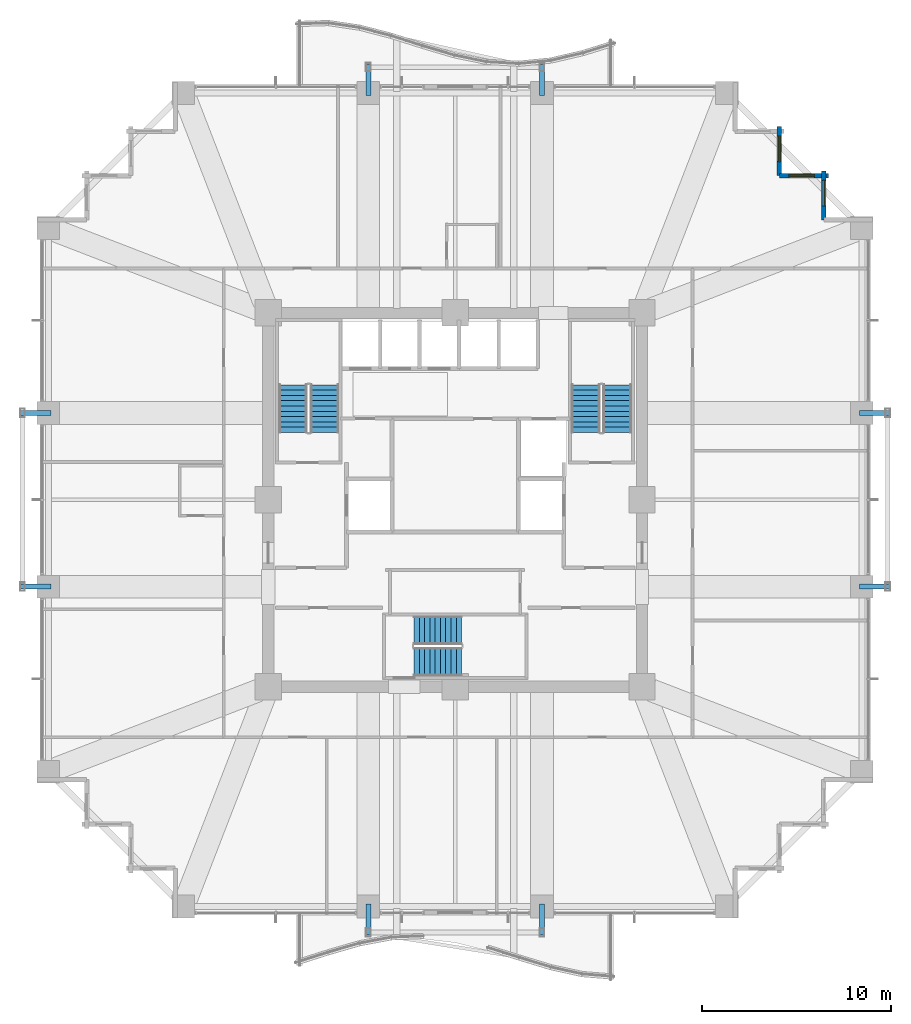
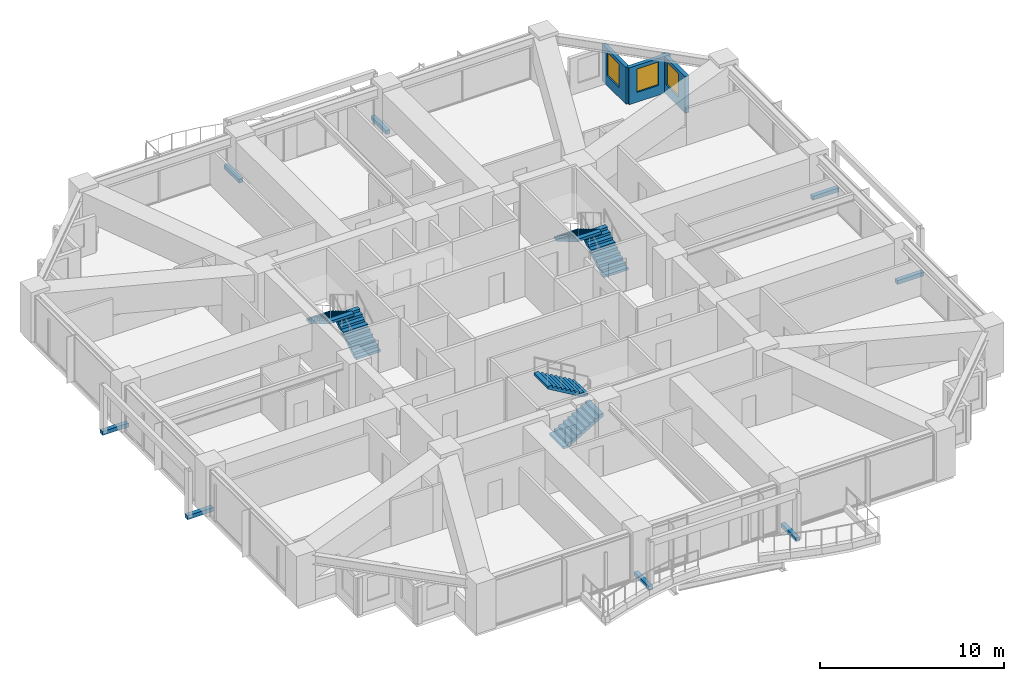
# One storey, part 35 of 37: 8 discrete accessories, 6 stair flights, 3 walls, 3 windows, 3 openings, 3 elements without a shape of their own.
"""IFC4 building model written with IfcOpenShell, lengths in metres."""

from ifc_helpers import new_model, si_unit, direction, frame, frame_2d, origin, origin_2d, place, context, subcontext, project, spatial, polyline, rectangle, outline, extrude, material, layer, layer_set, type_object, element, fill, aggregate, save


model = new_model("IFC4")

# Units and contexts
model_context = context("Model", 3, precision=1e-05, world=origin(), true_north=direction((0.0, 1.0)))
body_context = subcontext(model_context, "Body", "Model", "MODEL_VIEW")
ifc_project = project(units=[si_unit("LENGTHUNIT", "METRE"), si_unit("AREAUNIT", "SQUARE_METRE"), si_unit("VOLUMEUNIT", "CUBIC_METRE"), si_unit("PLANEANGLEUNIT", "RADIAN"), si_unit("MASSUNIT", "GRAM", prefix="KILO")], contexts=[model_context])

# Site, building, storey
site_placement = place(None, origin())
site = spatial("IfcSite", under=ifc_project, at=site_placement, CompositionType="ELEMENT")
building_placement = place(site_placement, origin())
building = spatial("IfcBuilding", under=site, at=building_placement, Name="Kolvaren Belvedere", CompositionType="ELEMENT")
storey_placement = place(building_placement, frame((0.0, 0.0, 56.800048828125)))
storey = spatial("IfcBuildingStorey", under=building, at=storey_placement, Name="L16", CompositionType="ELEMENT", Elevation=56.800048828125)

# Wall, opening, window
ifc_material_1 = material(Name="Insulated pale-metal facade wall assembly", Category="aluminium")
ifc_layer = layer(ifc_material_1, 0.239990234375)
ifc_layer_set = layer_set([ifc_layer], Name="Insulated pale-metal facade wall assembly")
wall_type = type_object("IfcWallType", Name="WL-EXT-240", PredefinedType="STANDARD", material=ifc_layer_set)
wall_1_placement = place(storey_placement, frame((19.530029296875, 17.419921875, 0.0), z_axis=(0.0, 0.0, 1.0), x_axis=(0.0, -1.0, 0.0)))
wall_1 = element("IfcWall", 1, at=wall_1_placement, inside=storey, type_object=wall_type, Name="L16 Serrated Corner Facade Wall 10", PredefinedType="STANDARD", context=body_context, shape_type="SweptSolid", body=[
    extrude(rectangle(XDim=2.58984375, YDim=0.239990234375, at=frame_2d((1.294921875, 0.0))), origin(), (0.0, 0.0, 1.0), 2.43896484375),
])
opening_1_placement = place(wall_1_placement, frame((0.5, 0.0, 0.64990234375)))
opening_1 = element("IfcOpeningElement", 2, at=opening_1_placement, cuts=wall_1, Name="Opening W-1350", PredefinedType="OPENING", context=body_context, shape_type="SweptSolid", body=[
    extrude(rectangle(XDim=1.35009765625, YDim=1.550048828125, at=frame_2d((0.675048828125, 0.77490234375))), frame((0.0, 0.1298828125, 0.0), z_axis=(0.0, -1.0, 0.0), x_axis=(1.0, 0.0, 0.0)), (0.0, 0.0, 1.0), 0.260009765625),
])
ifc_material_2 = material(Name="Low-iron triple insulated glass", Category="glass")
window_type = type_object("IfcWindowType", Name="WN-CORN-1350", PartitioningType="SINGLE_PANEL", PredefinedType="WINDOW", material=ifc_material_2)
window_1_placement = place(opening_1_placement, origin())
window_1 = element("IfcWindow", 3, at=window_1_placement, inside=storey, type_object=window_type, Name="L16 Serrated Corner Vision Window 10", OverallHeight=1.550048828125, OverallWidth=1.35009765625, PartitioningType="SINGLE_PANEL", PredefinedType="WINDOW", context=body_context, shape_type="SweptSolid", body=[
    extrude(rectangle(XDim=1.35009765625, YDim=1.550048828125, at=frame_2d((0.675048828125, 0.77490234375))), frame((0.0, 0.030029296875, 0.0), z_axis=(0.0, -1.0, 0.0), x_axis=(1.0, 0.0, 0.0)), (0.0, 0.0, 1.0), 0.06005859375),
])
fill(opening_1, window_1)

wall_2_placement = place(storey_placement, frame((17.179931640625, 17.179931640625, 0.0), z_axis=(0.0, 0.0, 1.0), x_axis=(1.0, 0.0, 0.0)))
wall_2 = element("IfcWall", 4, at=wall_2_placement, inside=storey, type_object=wall_type, Name="L16 Serrated Corner Facade Wall 11", PredefinedType="STANDARD", context=body_context, shape_type="SweptSolid", body=[
    extrude(rectangle(XDim=2.590087890625, YDim=0.239990234375, at=frame_2d((1.294921875, 0.0))), origin(), (0.0, 0.0, 1.0), 2.43896484375),
])
opening_2_placement = place(wall_2_placement, frame((0.5, 0.0, 0.64990234375)))
opening_2 = element("IfcOpeningElement", 5, at=opening_2_placement, cuts=wall_2, Name="Opening W-1350", PredefinedType="OPENING", context=body_context, shape_type="SweptSolid", body=[
    extrude(rectangle(XDim=1.35009765625, YDim=1.550048828125, at=frame_2d((0.675048828125, 0.77490234375))), frame((0.0, 0.1298828125, 0.0), z_axis=(0.0, -1.0, 0.0), x_axis=(1.0, 0.0, 0.0)), (0.0, 0.0, 1.0), 0.260009765625),
])
window_2_placement = place(opening_2_placement, origin())
window_2 = element("IfcWindow", 6, at=window_2_placement, inside=storey, type_object=window_type, Name="L16 Serrated Corner Vision Window 11", OverallHeight=1.550048828125, OverallWidth=1.35009765625, PartitioningType="SINGLE_PANEL", PredefinedType="WINDOW", context=body_context, shape_type="SweptSolid", body=[
    extrude(rectangle(XDim=1.35009765625, YDim=1.550048828125, at=frame_2d((0.675048828125, 0.77490234375))), frame((0.0, 0.030029296875, 0.0), z_axis=(0.0, -1.0, 0.0), x_axis=(1.0, 0.0, 0.0)), (0.0, 0.0, 1.0), 0.06005859375),
])
fill(opening_2, window_2)

wall_3_placement = place(storey_placement, frame((17.179931640625, 19.77001953125, 0.0), z_axis=(0.0, 0.0, 1.0), x_axis=(0.0, -1.0, 0.0)))
wall_3 = element("IfcWall", 7, at=wall_3_placement, inside=storey, type_object=wall_type, Name="L16 Serrated Corner Facade Wall 12", PredefinedType="STANDARD", context=body_context, shape_type="SweptSolid", body=[
    extrude(rectangle(XDim=2.590087890625, YDim=0.239990234375, at=frame_2d((1.294921875, 0.0))), origin(), (0.0, 0.0, 1.0), 2.43896484375),
])
opening_3_placement = place(wall_3_placement, frame((0.5, 0.0, 0.64990234375)))
opening_3 = element("IfcOpeningElement", 8, at=opening_3_placement, cuts=wall_3, Name="Opening W-1350", PredefinedType="OPENING", context=body_context, shape_type="SweptSolid", body=[
    extrude(rectangle(XDim=1.35009765625, YDim=1.550048828125, at=frame_2d((0.675048828125, 0.77490234375))), frame((0.0, 0.1298828125, 0.0), z_axis=(0.0, -1.0, 0.0), x_axis=(1.0, 0.0, 0.0)), (0.0, 0.0, 1.0), 0.260009765625),
])
window_3_placement = place(opening_3_placement, origin())
window_3 = element("IfcWindow", 9, at=window_3_placement, inside=storey, type_object=window_type, Name="L16 Serrated Corner Vision Window 12", OverallHeight=1.550048828125, OverallWidth=1.35009765625, PartitioningType="SINGLE_PANEL", PredefinedType="WINDOW", context=body_context, shape_type="SweptSolid", body=[
    extrude(rectangle(XDim=1.35009765625, YDim=1.550048828125, at=frame_2d((0.675048828125, 0.77490234375))), frame((0.0, 0.030029296875, 0.0), z_axis=(0.0, -1.0, 0.0), x_axis=(1.0, 0.0, 0.0)), (0.0, 0.0, 1.0), 0.06005859375),
])
fill(opening_3, window_3)

# Stair, stair flights
ifc_material_3 = material(Name="Concrete C50/60", Category="concrete")
stair_type = type_object("IfcStairType", Name="ST-CORE-1520", PredefinedType="HALF_TURN_STAIR", material=ifc_material_3)
stair_1_placement = place(storey_placement, origin())
stair_1 = element("IfcStair", 10, at=stair_1_placement, inside=storey, type_object=stair_type, Name="L16 Protected Exit Stair ST-1", PredefinedType="HALF_TURN_STAIR")
ifc_material_4 = material(Name="Concrete C50/60", Category="concrete")
stair_flight_type = type_object("IfcStairFlightType", Name="SF-STR-1520", PredefinedType="STRAIGHT", material=ifc_material_4)
stair_flight_1_placement = place(storey_placement, frame((-6.919921875, 3.570068359375, 0.0), z_axis=(0.0, 0.0, 1.0), x_axis=(0.0, 1.0, 0.0)))
stair_flight_1 = element("IfcStairFlight", 11, at=stair_flight_1_placement, type_object=stair_flight_type, Name="ST-1 flight 1", NumberOfRisers=10, NumberOfTreads=9, PredefinedType="STRAIGHT", RiserHeight=0.165, TreadLength=0.28, context=body_context, shape_type="SweptSolid", body=[
    extrude(outline(polyline([(0.0, 0.0), (0.0, 0.1650390625), (0.280029296875, 0.1650390625), (0.280029296875, 0.330078125), (0.56005859375, 0.330078125), (0.56005859375, 0.4951171875), (0.840087890625, 0.4951171875), (0.840087890625, 0.659912109375), (1.1201171875, 0.659912109375), (1.1201171875, 0.824951171875), (1.39990234375, 0.824951171875), (1.39990234375, 0.989990234375), (1.679931640625, 0.989990234375), (1.679931640625, 1.155029296875), (1.9599609375, 1.155029296875), (1.9599609375, 1.320068359375), (2.239990234375, 1.320068359375), (2.239990234375, 1.485107421875), (2.52001953125, 1.485107421875), (2.52001953125, 1.64990234375), (2.52001953125, 1.31103515625), (0.295166015625, 0.0), (0.0, 0.0)])), frame((0.0, 0.760009765625, 0.0), z_axis=(0.0, -1.0, 0.0), x_axis=(1.0, 0.0, 0.0)), (0.0, 0.0, 1.0), 1.52001953125),
])
stair_flight_2_placement = place(storey_placement, frame((-8.590087890625, 6.090087890625, 1.64990234375), z_axis=(0.0, 0.0, 1.0), x_axis=(0.0, -1.0, 0.0)))
stair_flight_2 = element("IfcStairFlight", 12, at=stair_flight_2_placement, type_object=stair_flight_type, Name="ST-1 flight 2", NumberOfRisers=10, NumberOfTreads=9, PredefinedType="STRAIGHT", RiserHeight=0.165, TreadLength=0.28, context=body_context, shape_type="SweptSolid", body=[
    extrude(outline(polyline([(0.0, 0.0), (0.0, 0.1650390625), (0.280029296875, 0.1650390625), (0.280029296875, 0.330078125), (0.56005859375, 0.330078125), (0.56005859375, 0.4951171875), (0.840087890625, 0.4951171875), (0.840087890625, 0.659912109375), (1.1201171875, 0.659912109375), (1.1201171875, 0.824951171875), (1.39990234375, 0.824951171875), (1.39990234375, 0.989990234375), (1.679931640625, 0.989990234375), (1.679931640625, 1.155029296875), (1.9599609375, 1.155029296875), (1.9599609375, 1.320068359375), (2.239990234375, 1.320068359375), (2.239990234375, 1.485107421875), (2.52001953125, 1.485107421875), (2.52001953125, 1.64990234375), (2.52001953125, 1.31103515625), (0.295166015625, 0.0), (0.0, 0.0)])), frame((0.0, 0.760009765625, 0.0), z_axis=(0.0, -1.0, 0.0), x_axis=(1.0, 0.0, 0.0)), (0.0, 0.0, 1.0), 1.52001953125),
])
aggregate(stair_1, [stair_flight_1, stair_flight_2])

stair_2_placement = place(storey_placement, origin())
stair_2 = element("IfcStair", 13, at=stair_2_placement, inside=storey, type_object=stair_type, Name="L16 Protected Exit Stair ST-2", PredefinedType="HALF_TURN_STAIR")
stair_flight_3_placement = place(storey_placement, frame((8.590087890625, 3.570068359375, 0.0), z_axis=(0.0, 0.0, 1.0), x_axis=(0.0, 1.0, 0.0)))
stair_flight_3 = element("IfcStairFlight", 14, at=stair_flight_3_placement, type_object=stair_flight_type, Name="ST-2 flight 1", NumberOfRisers=10, NumberOfTreads=9, PredefinedType="STRAIGHT", RiserHeight=0.165, TreadLength=0.28, context=body_context, shape_type="SweptSolid", body=[
    extrude(outline(polyline([(0.0, 0.0), (0.0, 0.1650390625), (0.280029296875, 0.1650390625), (0.280029296875, 0.330078125), (0.56005859375, 0.330078125), (0.56005859375, 0.4951171875), (0.840087890625, 0.4951171875), (0.840087890625, 0.659912109375), (1.1201171875, 0.659912109375), (1.1201171875, 0.824951171875), (1.39990234375, 0.824951171875), (1.39990234375, 0.989990234375), (1.679931640625, 0.989990234375), (1.679931640625, 1.155029296875), (1.9599609375, 1.155029296875), (1.9599609375, 1.320068359375), (2.239990234375, 1.320068359375), (2.239990234375, 1.485107421875), (2.52001953125, 1.485107421875), (2.52001953125, 1.64990234375), (2.52001953125, 1.31103515625), (0.295166015625, 0.0), (0.0, 0.0)])), frame((0.0, 0.760009765625, 0.0), z_axis=(0.0, -1.0, 0.0), x_axis=(1.0, 0.0, 0.0)), (0.0, 0.0, 1.0), 1.52001953125),
])
stair_flight_4_placement = place(storey_placement, frame((6.919921875, 6.090087890625, 1.64990234375), z_axis=(0.0, 0.0, 1.0), x_axis=(0.0, -1.0, 0.0)))
stair_flight_4 = element("IfcStairFlight", 15, at=stair_flight_4_placement, type_object=stair_flight_type, Name="ST-2 flight 2", NumberOfRisers=10, NumberOfTreads=9, PredefinedType="STRAIGHT", RiserHeight=0.165, TreadLength=0.28, context=body_context, shape_type="SweptSolid", body=[
    extrude(outline(polyline([(0.0, 0.0), (0.0, 0.1650390625), (0.280029296875, 0.1650390625), (0.280029296875, 0.330078125), (0.56005859375, 0.330078125), (0.56005859375, 0.4951171875), (0.840087890625, 0.4951171875), (0.840087890625, 0.659912109375), (1.1201171875, 0.659912109375), (1.1201171875, 0.824951171875), (1.39990234375, 0.824951171875), (1.39990234375, 0.989990234375), (1.679931640625, 0.989990234375), (1.679931640625, 1.155029296875), (1.9599609375, 1.155029296875), (1.9599609375, 1.320068359375), (2.239990234375, 1.320068359375), (2.239990234375, 1.485107421875), (2.52001953125, 1.485107421875), (2.52001953125, 1.64990234375), (2.52001953125, 1.31103515625), (0.295166015625, 0.0), (0.0, 0.0)])), frame((0.0, 0.760009765625, 0.0), z_axis=(0.0, -1.0, 0.0), x_axis=(1.0, 0.0, 0.0)), (0.0, 0.0, 1.0), 1.52001953125),
])
aggregate(stair_2, [stair_flight_3, stair_flight_4])

stair_3_placement = place(storey_placement, origin())
stair_3 = element("IfcStair", 16, at=stair_3_placement, inside=storey, type_object=stair_type, Name="L16 Protected Exit Stair ST-3", PredefinedType="HALF_TURN_STAIR")
stair_flight_5_placement = place(storey_placement, frame((-2.179931640625, -8.590087890625, 0.0), z_axis=(0.0, 0.0, 1.0), x_axis=(1.0, 0.0, 0.0)))
stair_flight_5 = element("IfcStairFlight", 17, at=stair_flight_5_placement, type_object=stair_flight_type, Name="ST-3 flight 1", NumberOfRisers=10, NumberOfTreads=9, PredefinedType="STRAIGHT", RiserHeight=0.165, TreadLength=0.28, context=body_context, shape_type="SweptSolid", body=[
    extrude(outline(polyline([(0.0, 0.0), (0.0, 0.1650390625), (0.280029296875, 0.1650390625), (0.280029296875, 0.330078125), (0.56005859375, 0.330078125), (0.56005859375, 0.4951171875), (0.840087890625, 0.4951171875), (0.840087890625, 0.659912109375), (1.1201171875, 0.659912109375), (1.1201171875, 0.824951171875), (1.39990234375, 0.824951171875), (1.39990234375, 0.989990234375), (1.679931640625, 0.989990234375), (1.679931640625, 1.155029296875), (1.9599609375, 1.155029296875), (1.9599609375, 1.320068359375), (2.239990234375, 1.320068359375), (2.239990234375, 1.485107421875), (2.52001953125, 1.485107421875), (2.52001953125, 1.64990234375), (2.52001953125, 1.31103515625), (0.295166015625, 0.0), (0.0, 0.0)])), frame((0.0, 0.760009765625, 0.0), z_axis=(0.0, -1.0, 0.0), x_axis=(1.0, 0.0, 0.0)), (0.0, 0.0, 1.0), 1.52001953125),
])
stair_flight_6_placement = place(storey_placement, frame((0.340087890625, -6.919921875, 1.64990234375), z_axis=(0.0, 0.0, 1.0), x_axis=(-1.0, 0.0, 0.0)))
stair_flight_6 = element("IfcStairFlight", 18, at=stair_flight_6_placement, type_object=stair_flight_type, Name="ST-3 flight 2", NumberOfRisers=10, NumberOfTreads=9, PredefinedType="STRAIGHT", RiserHeight=0.165, TreadLength=0.28, context=body_context, shape_type="SweptSolid", body=[
    extrude(outline(polyline([(0.0, 0.0), (0.0, 0.1650390625), (0.280029296875, 0.1650390625), (0.280029296875, 0.330078125), (0.56005859375, 0.330078125), (0.56005859375, 0.4951171875), (0.840087890625, 0.4951171875), (0.840087890625, 0.659912109375), (1.1201171875, 0.659912109375), (1.1201171875, 0.824951171875), (1.39990234375, 0.824951171875), (1.39990234375, 0.989990234375), (1.679931640625, 0.989990234375), (1.679931640625, 1.155029296875), (1.9599609375, 1.155029296875), (1.9599609375, 1.320068359375), (2.239990234375, 1.320068359375), (2.239990234375, 1.485107421875), (2.52001953125, 1.485107421875), (2.52001953125, 1.64990234375), (2.52001953125, 1.31103515625), (0.295166015625, 0.0), (0.0, 0.0)])), frame((0.0, 0.760009765625, 0.0), z_axis=(0.0, -1.0, 0.0), x_axis=(1.0, 0.0, 0.0)), (0.0, 0.0, 1.0), 1.52001953125),
])
aggregate(stair_3, [stair_flight_5, stair_flight_6])

# Discrete accessories
ifc_material_5 = material(Name="Structural steel ASTM A572 Grade 50", Category="steel")
discrete_accessory_type = type_object("IfcDiscreteAccessoryType", Name="BRK-1 Steel Facade Support Bracket", PredefinedType="BRACKET", material=ifc_material_5)
for number, where, z_axis, x_axis, name in (
    (19, (-4.60009765625, 22.235107421875, -0.169921875), (0.0, 0.0, 1.0), (0.0, 1.0, 0.0), "L16 Picture-Frame Outrigger Cleat Bracket N1"),
    (20, (4.60009765625, 22.235107421875, -0.169921875), (0.0, 0.0, 1.0), (0.0, 1.0, 0.0), "L16 Picture-Frame Outrigger Cleat Bracket N2"),
    (21, (4.60009765625, -22.235107421875, -0.169921875), (0.0, 0.0, 1.0), (0.0, 1.0, 0.0), "L16 Picture-Frame Outrigger Cleat Bracket S1"),
    (22, (-4.60009765625, -22.235107421875, -0.169921875), (0.0, 0.0, 1.0), (0.0, 1.0, 0.0), "L16 Picture-Frame Outrigger Cleat Bracket S2"),
    (23, (22.235107421875, 4.60009765625, -0.169921875), (0.0, 0.0, 1.0), (1.0, 0.0, 0.0), "L16 Picture-Frame Outrigger Cleat Bracket E1"),
    (24, (22.235107421875, -4.60009765625, -0.169921875), (0.0, 0.0, 1.0), (1.0, 0.0, 0.0), "L16 Picture-Frame Outrigger Cleat Bracket E2"),
    (25, (-22.235107421875, -4.60009765625, -0.169921875), (0.0, 0.0, 1.0), (1.0, 0.0, 0.0), "L16 Picture-Frame Outrigger Cleat Bracket W1"),
    (26, (-22.235107421875, 4.60009765625, -0.169921875), (0.0, 0.0, 1.0), (1.0, 0.0, 0.0), "L16 Picture-Frame Outrigger Cleat Bracket W2"),
):
    element("IfcDiscreteAccessory", number, at=place(storey_placement, frame(where, z_axis=z_axis, x_axis=x_axis)), inside=storey, type_object=discrete_accessory_type, Name=name, PredefinedType="BRACKET", context=body_context, shape_type="SweptSolid", body=[
        extrude(rectangle(XDim=1.639892578125, YDim=0.260009765625, at=origin_2d()), origin(), (0.0, 0.0, 1.0), 0.260009765625),
    ])

save(model, "model.ifc")
